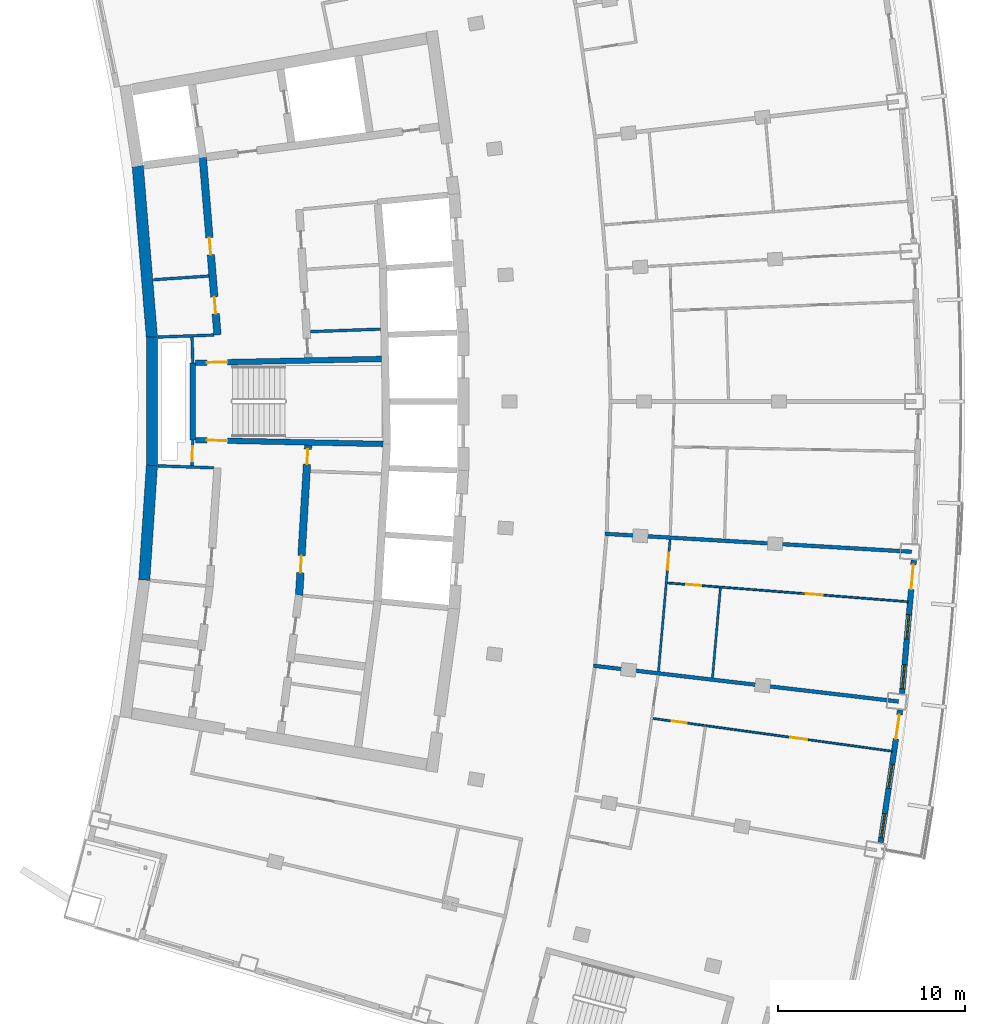
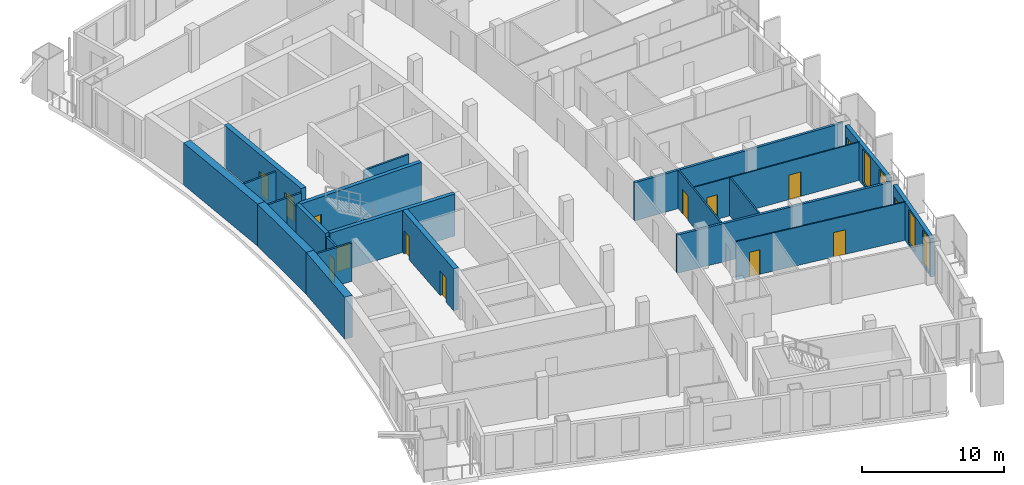
# One storey, part 11 of 18: 22 walls, 14 doors, 4 windows, 18 openings.
"""IFC4 building model written with IfcOpenShell, lengths in metres."""

from ifc_helpers import new_model, si_unit, direction, frame, frame_2d, origin, place, context, subcontext, project, spatial, rectangle, extrude, material, layer, layer_set, type_object, element, fill, save


model = new_model("IFC4")

# Units and contexts
model_context = context("Model", 3, precision=1e-05, world=origin(), true_north=direction((0.0, 1.0)))
body_context = subcontext(model_context, "Body", "Model", "MODEL_VIEW")
ifc_project = project(units=[si_unit("LENGTHUNIT", "METRE"), si_unit("AREAUNIT", "SQUARE_METRE"), si_unit("VOLUMEUNIT", "CUBIC_METRE"), si_unit("PLANEANGLEUNIT", "RADIAN"), si_unit("MASSUNIT", "GRAM", prefix="KILO")], contexts=[model_context])

# Site, building, storey
site_placement = place(None, origin())
site = spatial("IfcSite", under=ifc_project, at=site_placement, CompositionType="ELEMENT")
building_placement = place(site_placement, origin())
building = spatial("IfcBuilding", under=site, at=building_placement, Name="Alderwake Tower", CompositionType="ELEMENT")
storey_placement = place(building_placement, frame((0.0, 0.0, 225.199951171875)))
storey = spatial("IfcBuildingStorey", under=building, at=storey_placement, Name="L56", CompositionType="ELEMENT", Elevation=225.199951171875)

# Wall
ifc_material_1 = material(Name="Gypsum shaft wall system, rated")
ifc_layer_1 = layer(ifc_material_1, 0.14990234375)
ifc_layer_set_1 = layer_set([ifc_layer_1], Name="Core riser partition 150")
wall_type_1 = type_object("IfcWallType", Name="Core riser partition 150", PredefinedType="PARTITIONING", material=ifc_layer_set_1)
wall_1_placement = place(storey_placement, frame((25.191162109375, 64.723388671875, 0.0), z_axis=(0.0, 0.0, 1.0), x_axis=(0.999373256208, 0.035399078746, 0.0)))
element("IfcWall", 1, at=wall_1_placement, inside=storey, type_object=wall_type_1, Name="CW/L56/PR+37_+86", PredefinedType="PARTITIONING", context=body_context, shape_type="SweptSolid", body=[
    extrude(rectangle(XDim=3.751953125, YDim=0.14990234375, at=frame_2d((1.8759765625, 0.0))), origin(), (0.0, 0.0, 1.0), 3.280029296875),
])

# Wall, opening, door
ifc_material_2 = material(Name="Gypsum shaft wall system, rated")
ifc_layer_2 = layer(ifc_material_2, 0.14990234375)
ifc_layer_set_2 = layer_set([ifc_layer_2], Name="Core room partition 150")
wall_type_2 = type_object("IfcWallType", Name="Core room partition 150", PredefinedType="PARTITIONING", material=ifc_layer_set_2)
wall_2_placement = place(storey_placement, frame((18.918701171875, 58.94384765625, 0.0), z_axis=(0.0, 0.0, 1.0), x_axis=(-0.027811602725, -0.999613182563, 0.0)))
wall_2 = element("IfcWall", 2, at=wall_2_placement, inside=storey, type_object=wall_type_2, Name="CW/L56/PA+24_-37", PredefinedType="PARTITIONING", context=body_context, shape_type="SweptSolid", body=[
    extrude(rectangle(XDim=1.369384765625, YDim=0.14990234375, at=frame_2d((0.6845703125, 0.0))), origin(), (0.0, 0.0, 1.0), 3.280029296875),
])
opening_1_placement = place(wall_2_placement, frame((0.322998046875, 0.0, 0.0)))
opening_1 = element("IfcOpeningElement", 3, at=opening_1_placement, cuts=wall_2, Name="Opening C004", PredefinedType="OPENING", context=body_context, shape_type="SweptSolid", body=[
    extrude(rectangle(XDim=0.800048828125, YDim=2.0, at=frame_2d((0.39990234375, 1.0))), frame((0.0, 0.0849609375, 0.0), z_axis=(0.0, -1.0, 0.0), x_axis=(1.0, 0.0, 0.0)), (0.0, 0.0, 1.0), 0.169921875),
])
ifc_material_3 = material(Name="Painted steel leaf, rated", Category="steel")
door_type_1 = type_object("IfcDoorType", Name="Riser access door 800", OperationType="SINGLE_SWING_LEFT", PredefinedType="DOOR", material=ifc_material_3)
door_1_placement = place(opening_1_placement, origin())
door_1 = element("IfcDoor", 4, at=door_1_placement, inside=storey, type_object=door_type_1, Name="Riser access door", OperationType="SINGLE_SWING_RIGHT", OverallHeight=2.0, OverallWidth=0.800048828125, PredefinedType="DOOR", context=body_context, shape_type="SweptSolid", body=[
    extrude(rectangle(XDim=0.800048828125, YDim=2.0, at=frame_2d((0.39990234375, 1.0))), frame((0.0, 0.02490234375, 0.0), z_axis=(0.0, -1.0, 0.0), x_axis=(1.0, 0.0, 0.0)), (0.0, 0.0, 1.0), 0.050048828125),
])
fill(opening_1, door_1)

# Walls
wall_3_placement = place(storey_placement, frame((18.918701171875, 63.05517578125, 0.0), z_axis=(0.0, 0.0, 1.0), x_axis=(-0.027791791559, 0.99961373356, 0.0)))
element("IfcWall", 5, at=wall_3_placement, inside=storey, type_object=wall_type_2, Name="CW/L56/PA+24_+22", PredefinedType="PARTITIONING", context=body_context, shape_type="SweptSolid", body=[
    extrude(rectangle(XDim=1.370361328125, YDim=0.14990234375, at=frame_2d((0.68505859375, 0.0))), origin(), (0.0, 0.0, 1.0), 3.280029296875),
])
for number, where, z_axis, x_axis, name in (
    (6, (17.0693359375, 57.56396484375, 0.0), (0.0, 0.0, 1.0), (0.999374945052, -0.03535136775, 0.0), "CW/L56/PR-37_+0"),
    (7, (17.0693359375, 64.43603515625, 0.0), (0.0, 0.0, 1.0), (0.999374945052, 0.03535136775, 0.0), "CW/L56/PR+37_+0"),
):
    element("IfcWall", number, at=place(storey_placement, frame(where, z_axis=z_axis, x_axis=x_axis)), inside=storey, type_object=wall_type_2, Name=name, PredefinedType="PARTITIONING", context=body_context, shape_type="SweptSolid", body=[
        extrude(rectangle(XDim=2.9697265625, YDim=0.14990234375, at=frame_2d((1.48486328125, 0.0))), origin(), (0.0, 0.0, 1.0), 3.280029296875),
    ])
wall_4_placement = place(storey_placement, frame((16.81640625, 67.490478515625, 0.0), z_axis=(0.0, 0.0, 1.0), x_axis=(0.997758859926, 0.066912311566, 0.0)))
element("IfcWall", 8, at=wall_4_placement, inside=storey, type_object=wall_type_2, Name="CW/L56/PR+70_+0", PredefinedType="PARTITIONING", context=body_context, shape_type="SweptSolid", body=[
    extrude(rectangle(XDim=2.96630859375, YDim=0.14990234375, at=frame_2d((1.483154296875, 0.0))), origin(), (0.0, 0.0, 1.0), 3.280029296875),
])
ifc_material_4 = material(Name="Concrete C70/85", Category="concrete")
ifc_layer_3 = layer(ifc_material_4, 0.60009765625)
ifc_layer_set_3 = layer_set([ifc_layer_3], Name="Core wall outer 600 C70-85")
wall_type_3 = type_object("IfcWallType", Name="Core wall outer 600 C70-85", PredefinedType="SHEAR", material=ifc_layer_set_3)
wall_5_placement = place(storey_placement, frame((16.330078125, 51.469970703125, 0.0), z_axis=(0.0, 0.0, 1.0), x_axis=(0.066870582109, 0.997761657536, 0.0)))
element("IfcWall", 9, at=wall_5_placement, inside=storey, type_object=wall_type_3, Name="Core wall CW.036", PredefinedType="SHEAR", context=body_context, shape_type="SweptSolid", body=[
    extrude(rectangle(XDim=6.1298828125, YDim=0.60009765625, at=frame_2d((3.06494140625, 0.0))), origin(), (0.0, 0.0, 1.0), 3.60009765625),
])
wall_6_placement = place(storey_placement, frame((16.739501953125, 57.565185546875, 0.0), z_axis=(0.0, 0.0, 1.0), x_axis=(0.0, 1.0, 0.0)))
element("IfcWall", 10, at=wall_6_placement, inside=storey, type_object=wall_type_3, Name="Core wall CW.038", PredefinedType="SHEAR", context=body_context, shape_type="SweptSolid", body=[
    extrude(rectangle(XDim=6.8720703125, YDim=0.60009765625, at=frame_2d((3.43603515625, 0.0))), origin(), (0.0, 0.0, 1.0), 3.60009765625),
])
wall_7_placement = place(storey_placement, frame((16.740478515625, 64.411376953125, 0.0), z_axis=(0.0, 0.0, 1.0), x_axis=(-0.082614307012, 0.996581595393, 0.0)))
element("IfcWall", 11, at=wall_7_placement, inside=storey, type_object=wall_type_3, Name="Core wall CW.035", PredefinedType="SHEAR", context=body_context, shape_type="SweptSolid", body=[
    extrude(rectangle(XDim=9.184814453125, YDim=0.60009765625, at=frame_2d((4.59228515625, 0.0))), origin(), (0.0, 0.0, 1.0), 3.60009765625),
])

# Wall, openings, doors
ifc_material_5 = material(Name="Concrete C70/85", Category="concrete")
ifc_layer_4 = layer(ifc_material_5, 0.39990234375)
ifc_layer_set_4 = layer_set([ifc_layer_4], Name="Core wall spine 400 C70-85")
wall_type_4 = type_object("IfcWallType", Name="Core wall spine 400 C70-85", PredefinedType="SHEAR", material=ifc_layer_set_4)
wall_8_placement = place(storey_placement, frame((19.452392578125, 74.014892578125, 0.0), z_axis=(0.0, 0.0, 1.0), x_axis=(0.082628585297, -0.996580411654, 0.0)))
wall_8 = element("IfcWall", 12, at=wall_8_placement, inside=storey, type_object=wall_type_4, Name="Core wall CW.031", PredefinedType="SHEAR", context=body_context, shape_type="SweptSolid", body=[
    extrude(rectangle(XDim=9.499267578125, YDim=0.39990234375, at=frame_2d((4.74951171875, 0.0))), origin(), (0.0, 0.0, 1.0), 3.60009765625),
])
opening_2_placement = place(wall_8_placement, frame((7.468017578125, 0.0, 0.0)))
opening_2 = element("IfcOpeningElement", 13, at=opening_2_placement, cuts=wall_8, Name="Opening C053", PredefinedType="OPENING", context=body_context, shape_type="SweptSolid", body=[
    extrude(rectangle(XDim=0.89990234375, YDim=2.10009765625, at=frame_2d((0.449951171875, 1.050048828125))), frame((0.0, 0.2099609375, 0.0), z_axis=(0.0, -1.0, 0.0), x_axis=(1.0, 0.0, 0.0)), (0.0, 0.0, 1.0), 0.419921875),
])
opening_3_placement = place(wall_8_placement, frame((4.30322265625, 0.0, 0.0)))
opening_3 = element("IfcOpeningElement", 14, at=opening_3_placement, cuts=wall_8, Name="Opening C054", PredefinedType="OPENING", context=body_context, shape_type="SweptSolid", body=[
    extrude(rectangle(XDim=0.89990234375, YDim=2.10009765625, at=frame_2d((0.449951171875, 1.050048828125))), frame((0.0, 0.2099609375, 0.0), z_axis=(0.0, -1.0, 0.0), x_axis=(1.0, 0.0, 0.0)), (0.0, 0.0, 1.0), 0.419921875),
])
ifc_material_6 = material(Name="Painted steel leaf", Category="steel")
door_type_2 = type_object("IfcDoorType", Name="Core room door 900", OperationType="SINGLE_SWING_LEFT", PredefinedType="DOOR", material=ifc_material_6)
door_2_placement = place(opening_2_placement, origin())
door_2 = element("IfcDoor", 15, at=door_2_placement, inside=storey, type_object=door_type_2, Name="Room door", OperationType="SINGLE_SWING_LEFT", OverallHeight=2.10009765625, OverallWidth=0.89990234375, PredefinedType="DOOR", context=body_context, shape_type="SweptSolid", body=[
    extrude(rectangle(XDim=0.89990234375, YDim=2.10009765625, at=frame_2d((0.449951171875, 1.050048828125))), frame((0.0, 0.02490234375, 0.0), z_axis=(0.0, -1.0, 0.0), x_axis=(1.0, 0.0, 0.0)), (0.0, 0.0, 1.0), 0.050048828125),
])
fill(opening_2, door_2)
door_3_placement = place(opening_3_placement, origin())
door_3 = element("IfcDoor", 16, at=door_3_placement, inside=storey, type_object=door_type_2, Name="Room door", OperationType="SINGLE_SWING_RIGHT", OverallHeight=2.10009765625, OverallWidth=0.89990234375, PredefinedType="DOOR", context=body_context, shape_type="SweptSolid", body=[
    extrude(rectangle(XDim=0.89990234375, YDim=2.10009765625, at=frame_2d((0.449951171875, 1.050048828125))), frame((0.0, 0.02490234375, 0.0), z_axis=(0.0, -1.0, 0.0), x_axis=(1.0, 0.0, 0.0)), (0.0, 0.0, 1.0), 0.050048828125),
])
fill(opening_3, door_3)

wall_9_placement = place(storey_placement, frame((24.590087890625, 50.65673828125, 0.0), z_axis=(0.0, 0.0, 1.0), x_axis=(0.060318641452, 0.998179173041, 0.0)))
wall_9 = element("IfcWall", 17, at=wall_9_placement, inside=storey, type_object=wall_type_4, Name="Core wall CW.046", PredefinedType="SHEAR", context=body_context, shape_type="SweptSolid", body=[
    extrude(rectangle(XDim=8.022216796875, YDim=0.39990234375, at=frame_2d((4.01123046875, 0.0))), origin(), (0.0, 0.0, 1.0), 3.60009765625),
])
opening_4_placement = place(wall_9_placement, frame((7.006103515625, 0.0, 0.0)))
opening_4 = element("IfcOpeningElement", 18, at=opening_4_placement, cuts=wall_9, Name="Opening C006", PredefinedType="OPENING", context=body_context, shape_type="SweptSolid", body=[
    extrude(rectangle(XDim=0.800048828125, YDim=2.0, at=frame_2d((0.39990234375, 1.0))), frame((0.0, 0.2099609375, 0.0), z_axis=(0.0, -1.0, 0.0), x_axis=(1.0, 0.0, 0.0)), (0.0, 0.0, 1.0), 0.419921875),
])
opening_5_placement = place(wall_9_placement, frame((1.21533203125, 0.0, 0.0)))
opening_5 = element("IfcOpeningElement", 19, at=opening_5_placement, cuts=wall_9, Name="Opening C046", PredefinedType="OPENING", context=body_context, shape_type="SweptSolid", body=[
    extrude(rectangle(XDim=0.89990234375, YDim=2.10009765625, at=frame_2d((0.449951171875, 1.050048828125))), frame((0.0, 0.2099609375, 0.0), z_axis=(0.0, -1.0, 0.0), x_axis=(1.0, 0.0, 0.0)), (0.0, 0.0, 1.0), 0.419921875),
])
door_4_placement = place(opening_5_placement, origin())
door_4 = element("IfcDoor", 20, at=door_4_placement, inside=storey, type_object=door_type_2, Name="Room door", OperationType="SINGLE_SWING_RIGHT", OverallHeight=2.10009765625, OverallWidth=0.89990234375, PredefinedType="DOOR", context=body_context, shape_type="SweptSolid", body=[
    extrude(rectangle(XDim=0.89990234375, YDim=2.10009765625, at=frame_2d((0.449951171875, 1.050048828125))), frame((0.0, 0.02490234375, 0.0), z_axis=(0.0, -1.0, 0.0), x_axis=(1.0, 0.0, 0.0)), (0.0, 0.0, 1.0), 0.050048828125),
])
fill(opening_5, door_4)
door_5_placement = place(opening_4_placement, origin())
door_5 = element("IfcDoor", 21, at=door_5_placement, inside=storey, type_object=door_type_1, Name="Riser access door", OperationType="SINGLE_SWING_RIGHT", OverallHeight=2.0, OverallWidth=0.800048828125, PredefinedType="DOOR", context=body_context, shape_type="SweptSolid", body=[
    extrude(rectangle(XDim=0.800048828125, YDim=2.0, at=frame_2d((0.39990234375, 1.0))), frame((0.0, 0.02490234375, 0.0), z_axis=(0.0, -1.0, 0.0), x_axis=(1.0, 0.0, 0.0)), (0.0, 0.0, 1.0), 0.050048828125),
])
fill(opening_4, door_5)

# Wall
ifc_material_7 = material(Name="Concrete C70/85", Category="concrete")
ifc_layer_5 = layer(ifc_material_7, 0.300048828125)
ifc_layer_set_5 = layer_set([ifc_layer_5], Name="Core wall stair enclosure 300 C70-85")
wall_type_5 = type_object("IfcWallType", Name="Core wall stair enclosure 300 C70-85", PredefinedType="SHEAR", material=ifc_layer_set_5)
wall_10_placement = place(storey_placement, frame((18.918701171875, 58.940673828125, 0.0), z_axis=(0.0, 0.0, 1.0), x_axis=(0.0, 1.0, 0.0)))
element("IfcWall", 22, at=wall_10_placement, inside=storey, type_object=wall_type_5, Name="Core wall CW.024", PredefinedType="SHEAR", context=body_context, shape_type="SweptSolid", body=[
    extrude(rectangle(XDim=4.11962890625, YDim=0.300048828125, at=frame_2d((2.059814453125, 0.0))), origin(), (0.0, 0.0, 1.0), 3.60009765625),
])

# Wall, opening, door
wall_11_placement = place(storey_placement, frame((29.076416015625, 58.73095703125, 0.0), z_axis=(0.0, 0.0, 1.0), x_axis=(-0.99978356433, 0.020804434533, 0.0)))
wall_11 = element("IfcWall", 23, at=wall_11_placement, inside=storey, type_object=wall_type_5, Name="Core wall CW.074", PredefinedType="SHEAR", context=body_context, shape_type="SweptSolid", body=[
    extrude(rectangle(XDim=10.010009765625, YDim=0.300048828125, at=frame_2d((5.0048828125, 0.0))), origin(), (0.0, 0.0, 1.0), 3.60009765625),
])
opening_6_placement = place(wall_11_placement, frame((8.309814453125, 0.0, 0.0)))
opening_6 = element("IfcOpeningElement", 24, at=opening_6_placement, cuts=wall_11, Name="Opening C063", PredefinedType="OPENING", context=body_context, shape_type="SweptSolid", body=[
    extrude(rectangle(XDim=1.10009765625, YDim=2.10009765625, at=frame_2d((0.550048828125, 1.050048828125))), frame((0.0, 0.159912109375, 0.0), z_axis=(0.0, -1.0, 0.0), x_axis=(1.0, 0.0, 0.0)), (0.0, 0.0, 1.0), 0.320068359375),
])
ifc_material_8 = material(Name="Steel-framed fire door leaf", Category="steel")
door_type_3 = type_object("IfcDoorType", Name="Core stair door 1100 fire-rated", OperationType="SINGLE_SWING_LEFT", PredefinedType="DOOR", material=ifc_material_8)
door_6_placement = place(opening_6_placement, origin())
door_6 = element("IfcDoor", 25, at=door_6_placement, inside=storey, type_object=door_type_3, Name="Stair door", OperationType="SINGLE_SWING_RIGHT", OverallHeight=2.10009765625, OverallWidth=1.10009765625, PredefinedType="DOOR", context=body_context, shape_type="SweptSolid", body=[
    extrude(rectangle(XDim=1.10009765625, YDim=2.10009765625, at=frame_2d((0.550048828125, 1.050048828125))), frame((0.0, 0.02490234375, 0.0), z_axis=(0.0, -1.0, 0.0), x_axis=(1.0, 0.0, 0.0)), (0.0, 0.0, 1.0), 0.050048828125),
])
fill(opening_6, door_6)

wall_12_placement = place(storey_placement, frame((19.068603515625, 63.060791015625, 0.0), z_axis=(0.0, 0.0, 1.0), x_axis=(0.999783782948, 0.020793925895, 0.0)))
wall_12 = element("IfcWall", 26, at=wall_12_placement, inside=storey, type_object=wall_type_5, Name="Core wall CW.057", PredefinedType="SHEAR", context=body_context, shape_type="SweptSolid", body=[
    extrude(rectangle(XDim=9.909423828125, YDim=0.300048828125, at=frame_2d((4.95458984375, 0.0))), origin(), (0.0, 0.0, 1.0), 3.60009765625),
])
opening_7_placement = place(wall_12_placement, frame((0.60009765625, 0.0, 0.0)))
opening_7 = element("IfcOpeningElement", 27, at=opening_7_placement, cuts=wall_12, Name="Opening C064", PredefinedType="OPENING", context=body_context, shape_type="SweptSolid", body=[
    extrude(rectangle(XDim=1.10009765625, YDim=2.10009765625, at=frame_2d((0.550048828125, 1.050048828125))), frame((0.0, 0.159912109375, 0.0), z_axis=(0.0, -1.0, 0.0), x_axis=(1.0, 0.0, 0.0)), (0.0, 0.0, 1.0), 0.320068359375),
])
door_7_placement = place(opening_7_placement, origin())
door_7 = element("IfcDoor", 28, at=door_7_placement, inside=storey, type_object=door_type_3, Name="Stair door", OperationType="SINGLE_SWING_LEFT", OverallHeight=2.10009765625, OverallWidth=1.10009765625, PredefinedType="DOOR", context=body_context, shape_type="SweptSolid", body=[
    extrude(rectangle(XDim=1.10009765625, YDim=2.10009765625, at=frame_2d((0.550048828125, 1.050048828125))), frame((0.0, 0.02490234375, 0.0), z_axis=(0.0, -1.0, 0.0), x_axis=(1.0, 0.0, 0.0)), (0.0, 0.0, 1.0), 0.050048828125),
])
fill(opening_7, door_7)

# Wall, openings, door, windows
ifc_material_9 = material(Name="Precast concrete C50/60 spandrel panel", Category="concrete")
ifc_layer_6 = layer(ifc_material_9, 0.300048828125)
ifc_layer_set_6 = layer_set([ifc_layer_6], Name="External wall EW1 Precast concrete C50/60 spandrel")
wall_type_6 = type_object("IfcWallType", Name="External wall EW1 Precast concrete C50/60 spandrel", PredefinedType="SOLIDWALL", material=ifc_layer_set_6)
wall_13_placement = place(storey_placement, frame((55.612548828125, 37.4765625, 0.0), z_axis=(0.0, 0.0, 1.0), x_axis=(0.14531565173, 0.989385345233, 0.0)))
wall_13 = element("IfcWall", 29, at=wall_13_placement, inside=storey, type_object=wall_type_6, Name="External wall 13", PredefinedType="SOLIDWALL", context=body_context, shape_type="SweptSolid", body=[
    extrude(rectangle(XDim=7.133544921875, YDim=0.300048828125, at=frame_2d((3.56689453125, 0.0))), origin(), (0.0, 0.0, 1.0), 3.280029296875),
])
opening_8_placement = place(wall_13_placement, frame((0.24560546875, 0.0, 0.199951171875)))
opening_8 = element("IfcOpeningElement", 30, at=opening_8_placement, cuts=wall_13, Name="Opening W1", PredefinedType="OPENING", context=body_context, shape_type="SweptSolid", body=[
    extrude(rectangle(XDim=1.300048828125, YDim=2.89990234375, at=frame_2d((0.64990234375, 1.449951171875))), frame((0.0, 0.159912109375, 0.0), z_axis=(0.0, -1.0, 0.0), x_axis=(1.0, 0.0, 0.0)), (0.0, 0.0, 1.0), 0.320068359375),
])
opening_9_placement = place(wall_13_placement, frame((2.916748046875, 0.0, 0.199951171875)))
opening_9 = element("IfcOpeningElement", 31, at=opening_9_placement, cuts=wall_13, Name="Opening W1", PredefinedType="OPENING", context=body_context, shape_type="SweptSolid", body=[
    extrude(rectangle(XDim=1.300048828125, YDim=2.89990234375, at=frame_2d((0.64990234375, 1.449951171875))), frame((0.0, 0.159912109375, 0.0), z_axis=(0.0, -1.0, 0.0), x_axis=(1.0, 0.0, 0.0)), (0.0, 0.0, 1.0), 0.320068359375),
])
opening_10_placement = place(wall_13_placement, frame((5.588134765625, 0.0, 0.0)))
opening_10 = element("IfcOpeningElement", 32, at=opening_10_placement, cuts=wall_13, Name="Opening D02", PredefinedType="OPENING", context=body_context, shape_type="SweptSolid", body=[
    extrude(rectangle(XDim=1.300048828125, YDim=2.39990234375, at=frame_2d((0.64990234375, 1.199951171875))), frame((0.0, 0.159912109375, 0.0), z_axis=(0.0, -1.0, 0.0), x_axis=(1.0, 0.0, 0.0)), (0.0, 0.0, 1.0), 0.320068359375),
])
ifc_material_10 = material(Name="Bronze tinted glass in aluminium frame", Category="aluminium")
door_type_4 = type_object("IfcDoorType", Name="Balcony door BD sliding", OperationType="SLIDING_TO_LEFT", PredefinedType="DOOR", material=ifc_material_10)
door_8_placement = place(opening_10_placement, origin())
door_8 = element("IfcDoor", 33, at=door_8_placement, inside=storey, type_object=door_type_4, Name="Door D02", OperationType="SLIDING_TO_LEFT", OverallHeight=2.39990234375, OverallWidth=1.300048828125, PredefinedType="DOOR", context=body_context, shape_type="SweptSolid", body=[
    extrude(rectangle(XDim=1.300048828125, YDim=2.39990234375, at=frame_2d((0.64990234375, 1.199951171875))), frame((0.0, 0.02490234375, 0.0), z_axis=(0.0, -1.0, 0.0), x_axis=(1.0, 0.0, 0.0)), (0.0, 0.0, 1.0), 0.050048828125),
])
fill(opening_10, door_8)
ifc_material_11 = material(Name="Bronze tinted glass in aluminium frame", Category="aluminium")
window_type = type_object("IfcWindowType", Name="Window W1 tall fixed and vent", PartitioningType="DOUBLE_PANEL_VERTICAL", PredefinedType="WINDOW", material=ifc_material_11)
window_1_placement = place(opening_8_placement, origin())
window_1 = element("IfcWindow", 34, at=window_1_placement, inside=storey, type_object=window_type, Name="Window W1 tall fixed and vent", OverallHeight=2.89990234375, OverallWidth=1.300048828125, PartitioningType="DOUBLE_PANEL_VERTICAL", PredefinedType="WINDOW", context=body_context, shape_type="SweptSolid", body=[
    extrude(rectangle(XDim=1.300048828125, YDim=2.89990234375, at=frame_2d((0.64990234375, 1.449951171875))), frame((0.0, 0.030029296875, 0.0), z_axis=(0.0, -1.0, 0.0), x_axis=(1.0, 0.0, 0.0)), (0.0, 0.0, 1.0), 0.06005859375),
])
fill(opening_8, window_1)
window_2_placement = place(opening_9_placement, origin())
window_2 = element("IfcWindow", 35, at=window_2_placement, inside=storey, type_object=window_type, Name="Window W1 tall fixed and vent", OverallHeight=2.89990234375, OverallWidth=1.300048828125, PartitioningType="DOUBLE_PANEL_VERTICAL", PredefinedType="WINDOW", context=body_context, shape_type="SweptSolid", body=[
    extrude(rectangle(XDim=1.300048828125, YDim=2.89990234375, at=frame_2d((0.64990234375, 1.449951171875))), frame((0.0, 0.030029296875, 0.0), z_axis=(0.0, -1.0, 0.0), x_axis=(1.0, 0.0, 0.0)), (0.0, 0.0, 1.0), 0.06005859375),
])
fill(opening_9, window_2)

wall_14_placement = place(storey_placement, frame((56.75341796875, 45.4228515625, 0.0), z_axis=(0.0, 0.0, 1.0), x_axis=(0.087372427007, 0.996175716929, 0.0)))
wall_14 = element("IfcWall", 36, at=wall_14_placement, inside=storey, type_object=wall_type_6, Name="External wall 14", PredefinedType="SOLIDWALL", context=body_context, shape_type="SweptSolid", body=[
    extrude(rectangle(XDim=7.1337890625, YDim=0.300048828125, at=frame_2d((3.56689453125, 0.0))), origin(), (0.0, 0.0, 1.0), 3.280029296875),
])
opening_11_placement = place(wall_14_placement, frame((0.24560546875, 0.0, 0.199951171875)))
opening_11 = element("IfcOpeningElement", 37, at=opening_11_placement, cuts=wall_14, Name="Opening W1", PredefinedType="OPENING", context=body_context, shape_type="SweptSolid", body=[
    extrude(rectangle(XDim=1.300048828125, YDim=2.89990234375, at=frame_2d((0.64990234375, 1.449951171875))), frame((0.0, 0.159912109375, 0.0), z_axis=(0.0, -1.0, 0.0), x_axis=(1.0, 0.0, 0.0)), (0.0, 0.0, 1.0), 0.320068359375),
])
opening_12_placement = place(wall_14_placement, frame((2.916748046875, 0.0, 0.199951171875)))
opening_12 = element("IfcOpeningElement", 38, at=opening_12_placement, cuts=wall_14, Name="Opening W1", PredefinedType="OPENING", context=body_context, shape_type="SweptSolid", body=[
    extrude(rectangle(XDim=1.300048828125, YDim=2.89990234375, at=frame_2d((0.64990234375, 1.449951171875))), frame((0.0, 0.159912109375, 0.0), z_axis=(0.0, -1.0, 0.0), x_axis=(1.0, 0.0, 0.0)), (0.0, 0.0, 1.0), 0.320068359375),
])
opening_13_placement = place(wall_14_placement, frame((5.588134765625, 0.0, 0.0)))
opening_13 = element("IfcOpeningElement", 39, at=opening_13_placement, cuts=wall_14, Name="Opening D03", PredefinedType="OPENING", context=body_context, shape_type="SweptSolid", body=[
    extrude(rectangle(XDim=1.300048828125, YDim=2.39990234375, at=frame_2d((0.64990234375, 1.199951171875))), frame((0.0, 0.159912109375, 0.0), z_axis=(0.0, -1.0, 0.0), x_axis=(1.0, 0.0, 0.0)), (0.0, 0.0, 1.0), 0.320068359375),
])
door_9_placement = place(opening_13_placement, origin())
door_9 = element("IfcDoor", 40, at=door_9_placement, inside=storey, type_object=door_type_4, Name="Door D03", OperationType="SLIDING_TO_LEFT", OverallHeight=2.39990234375, OverallWidth=1.300048828125, PredefinedType="DOOR", context=body_context, shape_type="SweptSolid", body=[
    extrude(rectangle(XDim=1.300048828125, YDim=2.39990234375, at=frame_2d((0.64990234375, 1.199951171875))), frame((0.0, 0.02490234375, 0.0), z_axis=(0.0, -1.0, 0.0), x_axis=(1.0, 0.0, 0.0)), (0.0, 0.0, 1.0), 0.050048828125),
])
fill(opening_13, door_9)
window_3_placement = place(opening_11_placement, origin())
window_3 = element("IfcWindow", 41, at=window_3_placement, inside=storey, type_object=window_type, Name="Window W1 tall fixed and vent", OverallHeight=2.89990234375, OverallWidth=1.300048828125, PartitioningType="DOUBLE_PANEL_VERTICAL", PredefinedType="WINDOW", context=body_context, shape_type="SweptSolid", body=[
    extrude(rectangle(XDim=1.300048828125, YDim=2.89990234375, at=frame_2d((0.64990234375, 1.449951171875))), frame((0.0, 0.030029296875, 0.0), z_axis=(0.0, -1.0, 0.0), x_axis=(1.0, 0.0, 0.0)), (0.0, 0.0, 1.0), 0.06005859375),
])
fill(opening_11, window_3)
window_4_placement = place(opening_12_placement, origin())
window_4 = element("IfcWindow", 42, at=window_4_placement, inside=storey, type_object=window_type, Name="Window W1 tall fixed and vent", OverallHeight=2.89990234375, OverallWidth=1.300048828125, PartitioningType="DOUBLE_PANEL_VERTICAL", PredefinedType="WINDOW", context=body_context, shape_type="SweptSolid", body=[
    extrude(rectangle(XDim=1.300048828125, YDim=2.89990234375, at=frame_2d((0.64990234375, 1.449951171875))), frame((0.0, 0.030029296875, 0.0), z_axis=(0.0, -1.0, 0.0), x_axis=(1.0, 0.0, 0.0)), (0.0, 0.0, 1.0), 0.06005859375),
])
fill(opening_12, window_4)

# Walls
ifc_material_12 = material(Name="Dense block masonry wall", Category="masonry")
ifc_layer_7 = layer(ifc_material_12, 0.199951171875)
ifc_layer_set_7 = layer_set([ifc_layer_7], Name="Party wall 200")
wall_type_7 = type_object("IfcWallType", Name="Party wall 200", PredefinedType="SOLIDWALL", material=ifc_layer_set_7)
wall_15_placement = place(storey_placement, frame((56.56494140625, 44.993896484375, 0.0), z_axis=(0.0, 0.0, 1.0), x_axis=(-0.993188503225, 0.116518655426, 0.0)))
element("IfcWall", 43, at=wall_15_placement, inside=storey, type_object=wall_type_7, Name="WL/L56/W03", PredefinedType="SOLIDWALL", context=body_context, shape_type="SweptSolid", body=[
    extrude(rectangle(XDim=16.37890625, YDim=0.199951171875, at=frame_2d((8.189453125, 0.0))), origin(), (0.0, 0.0, 1.0), 3.280029296875),
])
wall_16_placement = place(storey_placement, frame((57.26708984375, 52.98291015625, 0.0), z_axis=(0.0, 0.0, 1.0), x_axis=(-0.99829604526, 0.058352429413, 0.0)))
element("IfcWall", 44, at=wall_16_placement, inside=storey, type_object=wall_type_7, Name="WL/L56/W04", PredefinedType="SOLIDWALL", context=body_context, shape_type="SweptSolid", body=[
    extrude(rectangle(XDim=16.3798828125, YDim=0.199951171875, at=frame_2d((8.18994140625, 0.0))), origin(), (0.0, 0.0, 1.0), 3.280029296875),
])

# Wall, openings, doors
ifc_material_13 = material(Name="Gypsum board on metal studs")
ifc_layer_8 = layer(ifc_material_13, 0.10009765625)
ifc_layer_set_8 = layer_set([ifc_layer_8], Name="Unit partition 100")
wall_type_8 = type_object("IfcWallType", Name="Unit partition 100", PredefinedType="PARTITIONING", material=ifc_layer_set_8)
wall_17_placement = place(storey_placement, frame((56.22607421875, 42.342041015625, 0.0), z_axis=(0.0, 0.0, 1.0), x_axis=(-0.990736538088, 0.135798056313, 0.0)))
wall_17 = element("IfcWall", 45, at=wall_17_placement, inside=storey, type_object=wall_type_8, Name="WL/L56/W50", PredefinedType="PARTITIONING", context=body_context, shape_type="SweptSolid", body=[
    extrude(rectangle(XDim=12.885009765625, YDim=0.10009765625, at=frame_2d((6.4423828125, 0.0))), origin(), (0.0, 0.0, 1.0), 3.280029296875),
])
opening_14_placement = place(wall_17_placement, frame((11.0654296875, 0.0, 0.0)))
opening_14 = element("IfcOpeningElement", 46, at=opening_14_placement, cuts=wall_17, Name="Opening R16-U03.3", PredefinedType="OPENING", context=body_context, shape_type="SweptSolid", body=[
    extrude(rectangle(XDim=0.800048828125, YDim=2.10009765625, at=frame_2d((0.39990234375, 1.050048828125))), frame((0.0, 0.06005859375, 0.0), z_axis=(0.0, -1.0, 0.0), x_axis=(1.0, 0.0, 0.0)), (0.0, 0.0, 1.0), 0.1201171875),
])
opening_15_placement = place(wall_17_placement, frame((4.573486328125, 0.0, 0.0)))
opening_15 = element("IfcOpeningElement", 47, at=opening_15_placement, cuts=wall_17, Name="Opening R16-U03.4", PredefinedType="OPENING", context=body_context, shape_type="SweptSolid", body=[
    extrude(rectangle(XDim=0.89990234375, YDim=2.10009765625, at=frame_2d((0.449951171875, 1.050048828125))), frame((0.0, 0.06005859375, 0.0), z_axis=(0.0, -1.0, 0.0), x_axis=(1.0, 0.0, 0.0)), (0.0, 0.0, 1.0), 0.1201171875),
])
ifc_material_14 = material(Name="Painted timber leaf", Category="wood")
door_type_5 = type_object("IfcDoorType", Name="Bathroom door 800", OperationType="SINGLE_SWING_LEFT", PredefinedType="DOOR", material=ifc_material_14)
door_10_placement = place(opening_14_placement, origin())
door_10 = element("IfcDoor", 48, at=door_10_placement, inside=storey, type_object=door_type_5, Name="DR/L56/U03.3", OperationType="SINGLE_SWING_LEFT", OverallHeight=2.10009765625, OverallWidth=0.800048828125, PredefinedType="DOOR", context=body_context, shape_type="SweptSolid", body=[
    extrude(rectangle(XDim=0.800048828125, YDim=2.10009765625, at=frame_2d((0.39990234375, 1.050048828125))), frame((0.0, 0.02490234375, 0.0), z_axis=(0.0, -1.0, 0.0), x_axis=(1.0, 0.0, 0.0)), (0.0, 0.0, 1.0), 0.050048828125),
])
fill(opening_14, door_10)
ifc_material_15 = material(Name="Painted timber leaf", Category="wood")
door_type_6 = type_object("IfcDoorType", Name="Room door 900", OperationType="SINGLE_SWING_LEFT", PredefinedType="DOOR", material=ifc_material_15)
door_11_placement = place(opening_15_placement, origin())
door_11 = element("IfcDoor", 49, at=door_11_placement, inside=storey, type_object=door_type_6, Name="DR/L56/U03.4", OperationType="SINGLE_SWING_LEFT", OverallHeight=2.10009765625, OverallWidth=0.89990234375, PredefinedType="DOOR", context=body_context, shape_type="SweptSolid", body=[
    extrude(rectangle(XDim=0.89990234375, YDim=2.10009765625, at=frame_2d((0.449951171875, 1.050048828125))), frame((0.0, 0.02490234375, 0.0), z_axis=(0.0, -1.0, 0.0), x_axis=(1.0, 0.0, 0.0)), (0.0, 0.0, 1.0), 0.050048828125),
])
fill(opening_15, door_11)

wall_18_placement = place(storey_placement, frame((57.0810546875, 50.31591796875, 0.0), z_axis=(0.0, 0.0, 1.0), x_axis=(-0.99696329067, 0.077872954591, 0.0)))
wall_18 = element("IfcWall", 50, at=wall_18_placement, inside=storey, type_object=wall_type_8, Name="WL/L56/W51", PredefinedType="PARTITIONING", context=body_context, shape_type="SweptSolid", body=[
    extrude(rectangle(XDim=12.88525390625, YDim=0.10009765625, at=frame_2d((6.442626953125, 0.0))), origin(), (0.0, 0.0, 1.0), 3.280029296875),
])
opening_16_placement = place(wall_18_placement, frame((11.065185546875, 0.0, 0.0)))
opening_16 = element("IfcOpeningElement", 51, at=opening_16_placement, cuts=wall_18, Name="Opening R16-U04.3", PredefinedType="OPENING", context=body_context, shape_type="SweptSolid", body=[
    extrude(rectangle(XDim=0.800048828125, YDim=2.10009765625, at=frame_2d((0.39990234375, 1.050048828125))), frame((0.0, 0.06005859375, 0.0), z_axis=(0.0, -1.0, 0.0), x_axis=(1.0, 0.0, 0.0)), (0.0, 0.0, 1.0), 0.1201171875),
])
opening_17_placement = place(wall_18_placement, frame((4.572509765625, 0.0, 0.0)))
opening_17 = element("IfcOpeningElement", 52, at=opening_17_placement, cuts=wall_18, Name="Opening R16-U04.4", PredefinedType="OPENING", context=body_context, shape_type="SweptSolid", body=[
    extrude(rectangle(XDim=0.89990234375, YDim=2.10009765625, at=frame_2d((0.449951171875, 1.050048828125))), frame((0.0, 0.06005859375, 0.0), z_axis=(0.0, -1.0, 0.0), x_axis=(1.0, 0.0, 0.0)), (0.0, 0.0, 1.0), 0.1201171875),
])
door_12_placement = place(opening_16_placement, origin())
door_12 = element("IfcDoor", 53, at=door_12_placement, inside=storey, type_object=door_type_5, Name="DR/L56/U04.3", OperationType="SINGLE_SWING_LEFT", OverallHeight=2.10009765625, OverallWidth=0.800048828125, PredefinedType="DOOR", context=body_context, shape_type="SweptSolid", body=[
    extrude(rectangle(XDim=0.800048828125, YDim=2.10009765625, at=frame_2d((0.39990234375, 1.050048828125))), frame((0.0, 0.02490234375, 0.0), z_axis=(0.0, -1.0, 0.0), x_axis=(1.0, 0.0, 0.0)), (0.0, 0.0, 1.0), 0.050048828125),
])
fill(opening_16, door_12)
door_13_placement = place(opening_17_placement, origin())
door_13 = element("IfcDoor", 54, at=door_13_placement, inside=storey, type_object=door_type_6, Name="DR/L56/U04.4", OperationType="SINGLE_SWING_LEFT", OverallHeight=2.10009765625, OverallWidth=0.89990234375, PredefinedType="DOOR", context=body_context, shape_type="SweptSolid", body=[
    extrude(rectangle(XDim=0.89990234375, YDim=2.10009765625, at=frame_2d((0.449951171875, 1.050048828125))), frame((0.0, 0.02490234375, 0.0), z_axis=(0.0, -1.0, 0.0), x_axis=(1.0, 0.0, 0.0)), (0.0, 0.0, 1.0), 0.050048828125),
])
fill(opening_17, door_13)

# Wall, opening, door
ifc_material_16 = material(Name="Moisture resistant gypsum board on metal studs")
ifc_layer_9 = layer(ifc_material_16, 0.1201171875)
ifc_layer_set_9 = layer_set([ifc_layer_9], Name="Wet room partition 120")
wall_type_9 = type_object("IfcWallType", Name="Wet room partition 120", PredefinedType="PARTITIONING", material=ifc_layer_set_9)
wall_19_placement = place(storey_placement, frame((44.379150390625, 53.63623046875, 0.0), z_axis=(0.0, 0.0, 1.0), x_axis=(-0.087510659507, -0.996163583189, 0.0)))
wall_19 = element("IfcWall", 55, at=wall_19_placement, inside=storey, type_object=wall_type_9, Name="WL/L56/W41", PredefinedType="PARTITIONING", context=body_context, shape_type="SweptSolid", body=[
    extrude(rectangle(XDim=7.066650390625, YDim=0.1201171875, at=frame_2d((3.533203125, 0.0))), origin(), (0.0, 0.0, 1.0), 3.280029296875),
])
opening_18_placement = place(wall_19_placement, frame((0.711181640625, 0.0, 0.0)))
opening_18 = element("IfcOpeningElement", 56, at=opening_18_placement, cuts=wall_19, Name="Opening R16-U04.2", PredefinedType="OPENING", context=body_context, shape_type="SweptSolid", body=[
    extrude(rectangle(XDim=0.89990234375, YDim=2.10009765625, at=frame_2d((0.449951171875, 1.050048828125))), frame((0.0, 0.070068359375, 0.0), z_axis=(0.0, -1.0, 0.0), x_axis=(1.0, 0.0, 0.0)), (0.0, 0.0, 1.0), 0.14013671875),
])
door_14_placement = place(opening_18_placement, origin())
door_14 = element("IfcDoor", 57, at=door_14_placement, inside=storey, type_object=door_type_6, Name="DR/L56/U04.2", OperationType="SINGLE_SWING_LEFT", OverallHeight=2.10009765625, OverallWidth=0.89990234375, PredefinedType="DOOR", context=body_context, shape_type="SweptSolid", body=[
    extrude(rectangle(XDim=0.89990234375, YDim=2.10009765625, at=frame_2d((0.449951171875, 1.050048828125))), frame((0.0, 0.02490234375, 0.0), z_axis=(0.0, -1.0, 0.0), x_axis=(1.0, 0.0, 0.0)), (0.0, 0.0, 1.0), 0.050048828125),
])
fill(opening_18, door_14)

# Wall
wall_20_placement = place(storey_placement, frame((46.640869140625, 46.2578125, 0.0), z_axis=(0.0, 0.0, 1.0), x_axis=(0.087714452347, 0.996145659454, 0.0)))
element("IfcWall", 58, at=wall_20_placement, inside=storey, type_object=wall_type_9, Name="WL/L56/W45", PredefinedType="PARTITIONING", context=body_context, shape_type="SweptSolid", body=[
    extrude(rectangle(XDim=4.806884765625, YDim=0.1201171875, at=frame_2d((2.4033203125, 0.0))), origin(), (0.0, 0.0, 1.0), 3.280029296875),
])

save(model, "model.ifc")
